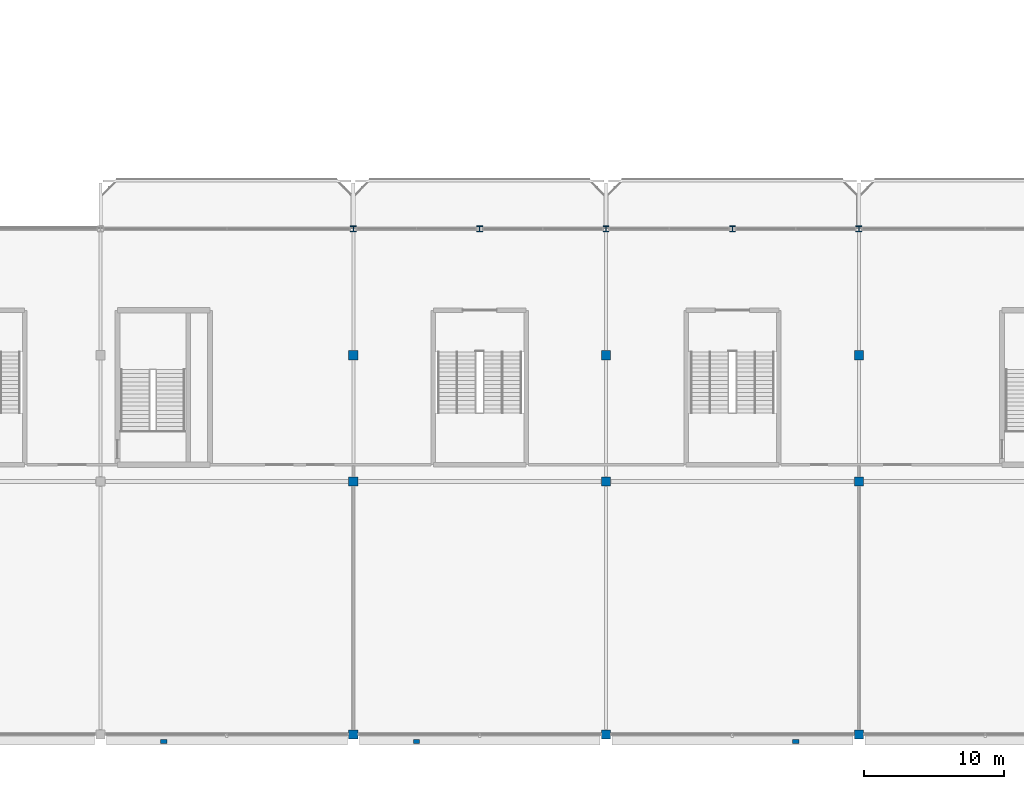
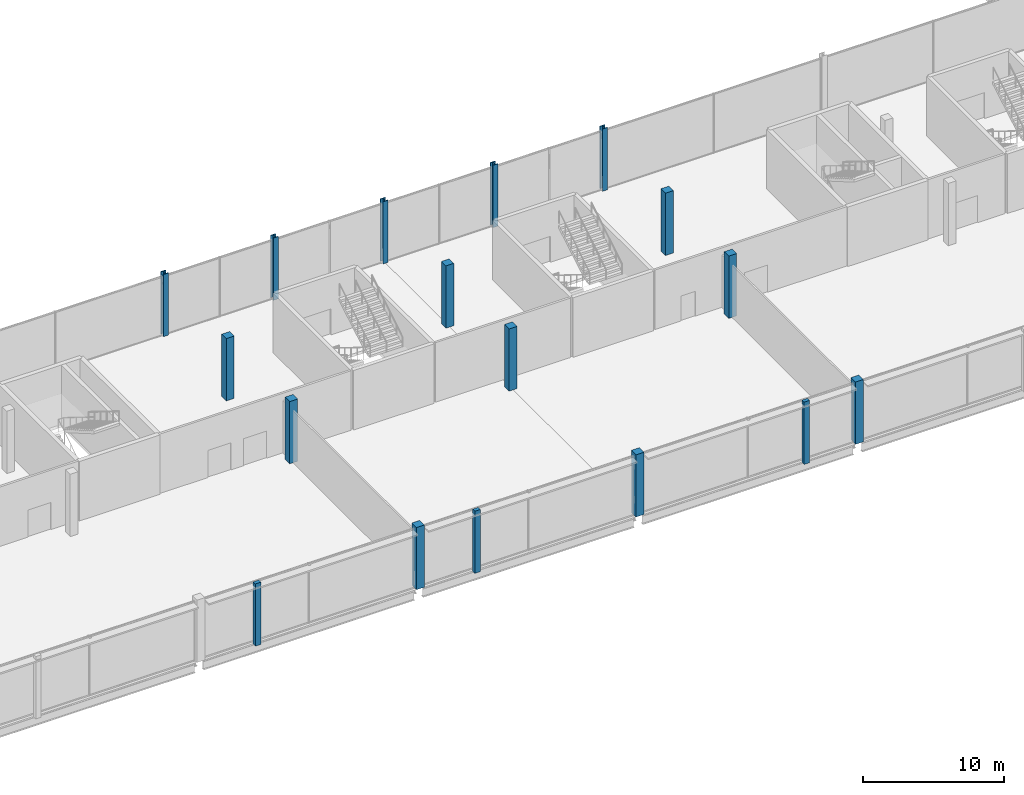
# One storey, part 3 of 113: 17 columns.
"""IFC4 building model written with IfcOpenShell, lengths in metres."""

from ifc_helpers import new_model, si_unit, direction, frame, origin, origin_2d, place, context, subcontext, project, spatial, rectangle, i_section, extrude, material, material_profile, profile_set, type_object, element, save


model = new_model("IFC4")

# Units and contexts
model_context = context("Model", 3, precision=1e-05, world=origin(), true_north=direction((0.0, 1.0)))
body_context = subcontext(model_context, "Body", "Model", "MODEL_VIEW")
ifc_project = project(units=[si_unit("LENGTHUNIT", "METRE"), si_unit("AREAUNIT", "SQUARE_METRE"), si_unit("VOLUMEUNIT", "CUBIC_METRE"), si_unit("PLANEANGLEUNIT", "RADIAN"), si_unit("MASSUNIT", "GRAM", prefix="KILO")], contexts=[model_context])

# Site, building, storey
site_placement = place(None, origin())
site = spatial("IfcSite", under=ifc_project, at=site_placement, CompositionType="ELEMENT")
building_placement = place(site_placement, origin())
building = spatial("IfcBuilding", under=site, at=building_placement, Name="Kisiwana Market Hall", CompositionType="ELEMENT")
storey_placement = place(building_placement, frame((0.0, 0.0, 6.0)))
storey = spatial("IfcBuildingStorey", under=building, at=storey_placement, Name="L01", CompositionType="ELEMENT", Elevation=6.0)

# Columns
ifc_material_1 = material(Name="Concrete C40/50", Category="concrete")
ifc_material_profile_1 = material_profile(ifc_material_1, rectangle(XDim=0.64990234375, YDim=0.64990234375, at=origin_2d()), Name="RC 650x650")
ifc_profile_set_1 = profile_set([ifc_material_profile_1], Name="Concrete C40/50")
column_type_1 = type_object("IfcColumnType", Name="COL-RC-POD-650", PredefinedType="COLUMN", material=ifc_profile_set_1)
for number, where, z_axis, x_axis, name in (
    (1, (81.0, 0.0, 0.0), (0.0, 0.0, 1.0), (1.0, 0.0, 0.0), "Column A/10 (L01) C-0413"),
    (2, (81.0, 18.0, 0.0), (0.0, 0.0, 1.0), (1.0, 0.0, 0.0), "Column C/10 (L01) C-0414"),
    (3, (81.0, 27.0, 0.0), (0.0, 0.0, 1.0), (1.0, 0.0, 0.0), "Column D/10 (L01) C-0415"),
    (4, (99.0, 0.0, 0.0), (0.0, 0.0, 1.0), (1.0, 0.0, 0.0), "Column A/12 (L01) C-0423"),
    (5, (99.0, 18.0, 0.0), (0.0, 0.0, 1.0), (1.0, 0.0, 0.0), "Column C/12 (L01) C-0424"),
    (6, (99.0, 27.0, 0.0), (0.0, 0.0, 1.0), (1.0, 0.0, 0.0), "Column D/12 (L01) C-0425"),
    (7, (117.0, 0.0, 0.0), (0.0, 0.0, 1.0), (1.0, 0.0, 0.0), "Column A/14 (L01) C-0433"),
    (8, (117.0, 18.0, 0.0), (0.0, 0.0, 1.0), (1.0, 0.0, 0.0), "Column C/14 (L01) C-0434"),
    (9, (117.0, 27.0, 0.0), (0.0, 0.0, 1.0), (1.0, 0.0, 0.0), "Column D/14 (L01) C-0435"),
):
    element("IfcColumn", number, at=place(storey_placement, frame(where, z_axis=z_axis, x_axis=x_axis)), inside=storey, type_object=column_type_1, Name=name, PredefinedType="COLUMN", context=body_context, shape_type="SweptSolid", body=[
        extrude(rectangle(XDim=0.64990234375, YDim=0.64990234375, at=origin_2d()), origin(), (0.0, 0.0, 1.0), 5.39990234375),
    ])
ifc_material_2 = material(Name="Steel S355", Category="steel")
ifc_material_profile_2 = material_profile(ifc_material_2, i_section(OverallWidth=0.412109375, OverallDepth=0.43505859375, WebThickness=0.035888671875, FlangeThickness=0.05810546875, at=origin_2d()), Name="HD 400x463")
ifc_profile_set_2 = profile_set([ifc_material_profile_2], Name="Steel S355")
column_type_2 = type_object("IfcColumnType", Name="COL-STL-HD463", PredefinedType="COLUMN", material=ifc_profile_set_2)
for number, where, z_axis, x_axis, name in (
    (10, (81.0, 36.0, 0.0), (0.0, 0.0, 1.0), (1.0, 0.0, 0.0), "Column E/10 (L01) C-0416"),
    (11, (90.0, 36.0, 0.0), (0.0, 0.0, 1.0), (1.0, 0.0, 0.0), "Column E/11 (L01) C-0421"),
    (12, (99.0, 36.0, 0.0), (0.0, 0.0, 1.0), (1.0, 0.0, 0.0), "Column E/12 (L01) C-0426"),
    (13, (108.0, 36.0, 0.0), (0.0, 0.0, 1.0), (1.0, 0.0, 0.0), "Column E/13 (L01) C-0431"),
    (14, (117.0, 36.0, 0.0), (0.0, 0.0, 1.0), (1.0, 0.0, 0.0), "Column E/14 (L01) C-0436"),
):
    element("IfcColumn", number, at=place(storey_placement, frame(where, z_axis=z_axis, x_axis=x_axis)), inside=storey, type_object=column_type_2, Name=name, PredefinedType="COLUMN", context=body_context, shape_type="SweptSolid", body=[
        extrude(i_section(OverallWidth=0.412109375, OverallDepth=0.43505859375, WebThickness=0.035888671875, FlangeThickness=0.05810546875, at=origin_2d()), origin(), (0.0, 0.0, 1.0), 5.39990234375),
    ])
ifc_material_3 = material(Name="Concrete C40/50", Category="concrete")
ifc_material_profile_3 = material_profile(ifc_material_3, rectangle(XDim=0.449951171875, YDim=0.300048828125, at=origin_2d()), Name="PIL 450x300")
ifc_profile_set_3 = profile_set([ifc_material_profile_3], Name="Concrete C40/50")
column_type_3 = type_object("IfcColumnType", Name="PIL-CONC-450", PredefinedType="PILASTER", material=ifc_profile_set_3)
for number, where, z_axis, x_axis, name in (
    (15, (67.5, -0.5, 0.0), (0.0, 0.0, 1.0), (1.0, 0.0, 0.0), "Facade pilaster A/8 (L01) C-0495"),
    (16, (85.5, -0.5, 0.0), (0.0, 0.0, 1.0), (1.0, 0.0, 0.0), "Facade pilaster A/10 (L01) C-0496"),
    (17, (112.5, -0.5, 0.0), (0.0, 0.0, 1.0), (1.0, 0.0, 0.0), "Facade pilaster A/13 (L01) C-0497"),
):
    element("IfcColumn", number, at=place(storey_placement, frame(where, z_axis=z_axis, x_axis=x_axis)), inside=storey, type_object=column_type_3, Name=name, PredefinedType="PILASTER", context=body_context, shape_type="SweptSolid", body=[
        extrude(rectangle(XDim=0.449951171875, YDim=0.300048828125, at=origin_2d()), origin(), (0.0, 0.0, 1.0), 5.39990234375),
    ])

save(model, "model.ifc")
